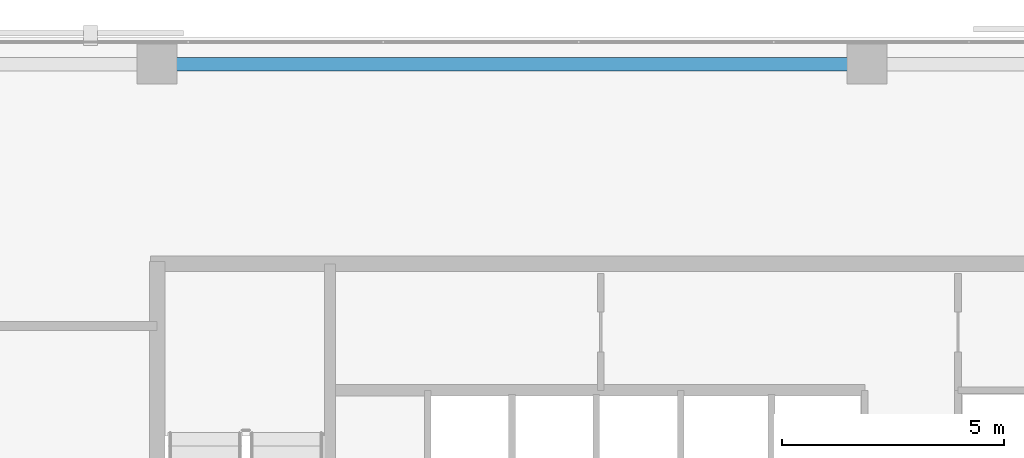
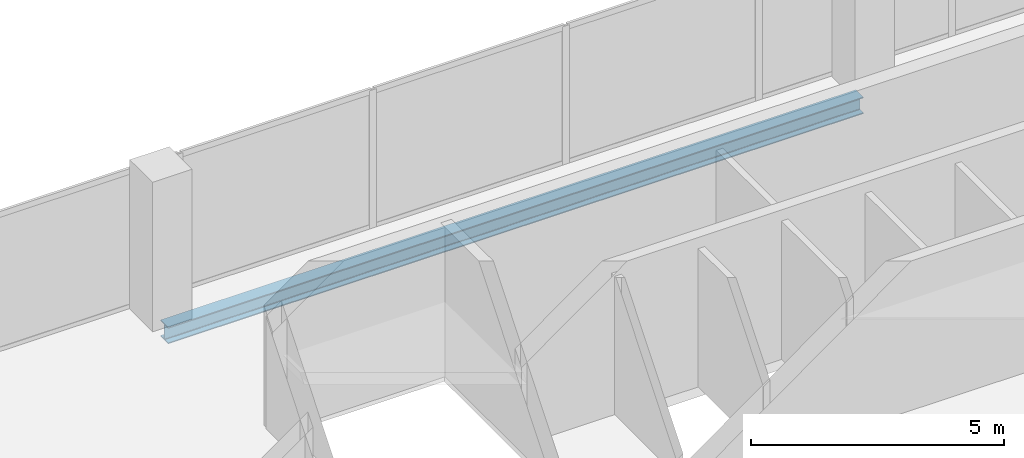
# One storey, part 21 of 33: 1 beam.
"""IFC4 building model written with IfcOpenShell, lengths in metres."""

from ifc_helpers import new_model, si_unit, direction, frame, origin, origin_2d, place, context, subcontext, project, spatial, i_section, extrude, material, material_profile, profile_set, type_object, element, save


model = new_model("IFC4")

# Units and contexts
model_context = context("Model", 3, precision=1e-05, world=origin(), true_north=direction((0.0, 1.0)))
body_context = subcontext(model_context, "Body", "Model", "MODEL_VIEW")
ifc_project = project(units=[si_unit("LENGTHUNIT", "METRE"), si_unit("AREAUNIT", "SQUARE_METRE"), si_unit("VOLUMEUNIT", "CUBIC_METRE"), si_unit("PLANEANGLEUNIT", "RADIAN"), si_unit("MASSUNIT", "GRAM", prefix="KILO")], contexts=[model_context])

# Site, building, storey
site_placement = place(None, origin())
site = spatial("IfcSite", under=ifc_project, at=site_placement, CompositionType="ELEMENT")
building_placement = place(site_placement, origin())
building = spatial("IfcBuilding", under=site, at=building_placement, Name="Catumbela Crestline Tower", CompositionType="ELEMENT")
storey_placement = place(building_placement, frame((0.0, 0.0, 100.8)))
storey = spatial("IfcBuildingStorey", under=building, at=storey_placement, Name="L25", CompositionType="ELEMENT", Elevation=100.8)

# Beam
ifc_material = material(Name="Structural steel S355J2", Category="steel")
ifc_material_profile = material_profile(ifc_material, i_section(OverallWidth=0.3, OverallDepth=0.4, WebThickness=0.0135, FlangeThickness=0.024, FilletRadius=0.027, at=origin_2d()), Name="HEB 400")
ifc_profile_set = profile_set([ifc_material_profile], Name="Structural steel S355J2")
beam_type = type_object("IfcBeamType", Name="BS-HEB400", PredefinedType="SPANDREL", material=ifc_profile_set)
beam_placement = place(storey_placement, frame((16.08, 47.4, -0.46), z_axis=(1.0, 0.0, 0.0), x_axis=(0.0, 1.0, 0.0)))
element("IfcBeam", 1, at=beam_placement, inside=storey, type_object=beam_type, Name="L25 Spandrel SP-L25-NF19", PredefinedType="SPANDREL", context=body_context, shape_type="SweptSolid", body=[
    extrude(i_section(OverallWidth=0.3, OverallDepth=0.4, WebThickness=0.0135, FlangeThickness=0.024, FilletRadius=0.027, at=origin_2d()), origin(), (0.0, 0.0, 1.0), 15.84),
])

save(model, "model.ifc")
